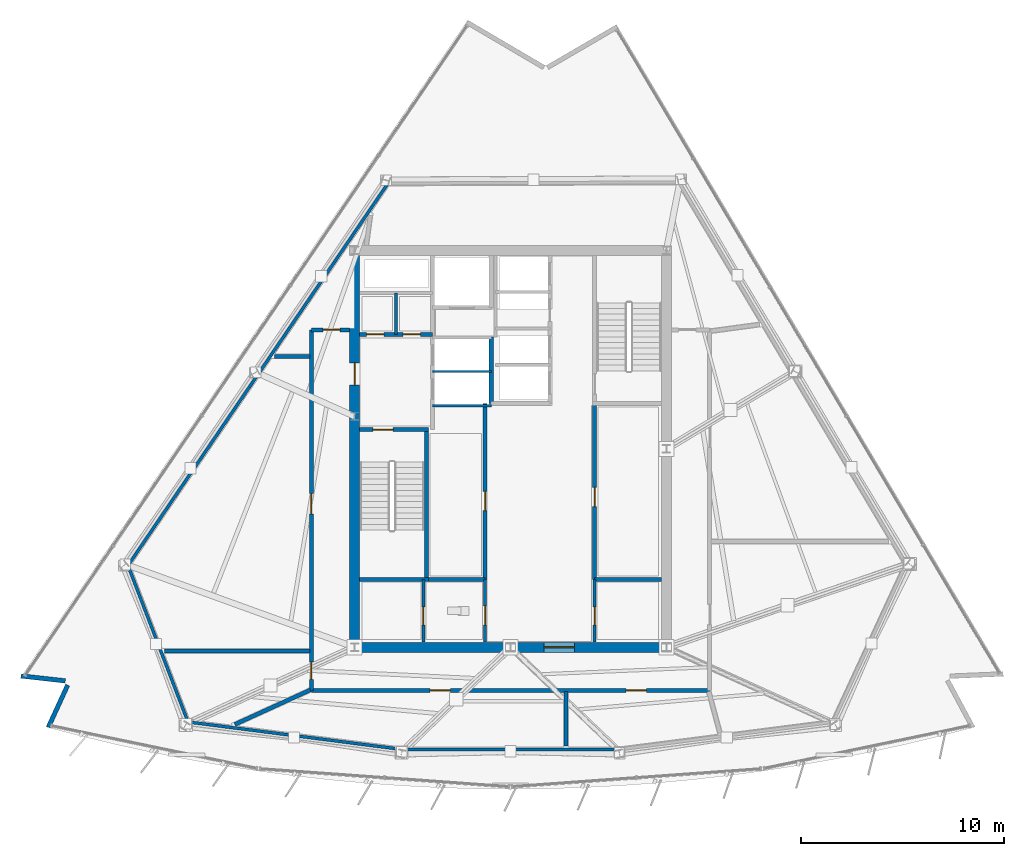
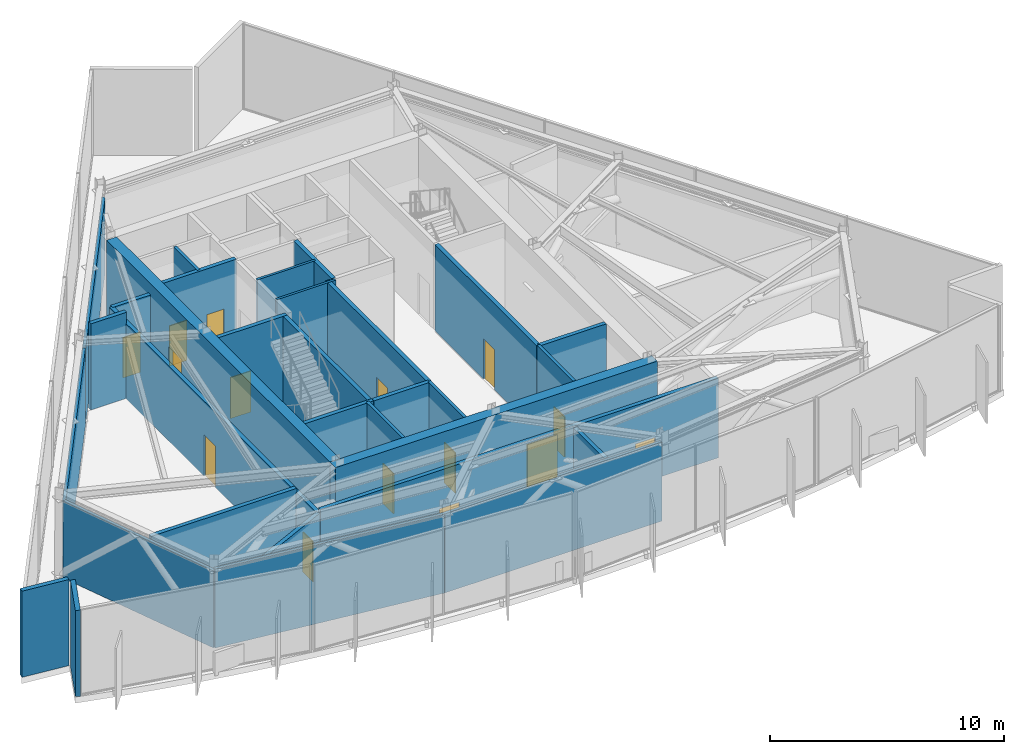
# One storey, part 8 of 14: 31 walls, 15 doors, 15 openings.
"""IFC4 building model written with IfcOpenShell, lengths in metres."""

from ifc_helpers import new_model, si_unit, direction, frame, frame_2d, origin, place, context, subcontext, project, spatial, rectangle, extrude, material, layer, layer_set, type_object, element, fill, save


model = new_model("IFC4")

# Units and contexts
model_context = context("Model", 3, precision=1e-05, world=origin(), true_north=direction((0.0, 1.0)))
body_context = subcontext(model_context, "Body", "Model", "MODEL_VIEW")
ifc_project = project(units=[si_unit("LENGTHUNIT", "METRE"), si_unit("AREAUNIT", "SQUARE_METRE"), si_unit("VOLUMEUNIT", "CUBIC_METRE"), si_unit("PLANEANGLEUNIT", "RADIAN"), si_unit("MASSUNIT", "GRAM", prefix="KILO")], contexts=[model_context])

# Site, building, storey
site_placement = place(None, origin())
site = spatial("IfcSite", under=ifc_project, at=site_placement, CompositionType="ELEMENT")
building_placement = place(site_placement, origin())
building = spatial("IfcBuilding", under=site, at=building_placement, Name="Savorim Split Tower", CompositionType="ELEMENT")
storey_placement = place(building_placement, frame((0.0, 0.0, 241.5)))
storey = spatial("IfcBuildingStorey", under=building, at=storey_placement, Name="L64", CompositionType="ELEMENT", Elevation=241.5)

# Wall, opening, door
ifc_material_1 = material(Name="Concrete C60/75", Category="concrete")
ifc_layer_1 = layer(ifc_material_1, 0.5)
ifc_layer_set_1 = layer_set([ifc_layer_1], Name="WAL-COR-SH500")
wall_type_1 = type_object("IfcWallType", Name="WAL-COR-SH500", PredefinedType="SHEAR", material=ifc_layer_set_1)
wall_1_placement = place(storey_placement, frame((-7.949951171875, -9.39990234375, 0.0), z_axis=(0.0, 0.0, 1.0), x_axis=(1.0, 0.0, 0.0)))
wall_1 = element("IfcWall", 1, at=wall_1_placement, inside=storey, type_object=wall_type_1, Name="L64 Offset Core South Shear Wall", PredefinedType="SHEAR", context=body_context, shape_type="SweptSolid", body=[
    extrude(rectangle(XDim=15.89990234375, YDim=0.5, at=frame_2d((7.949951171875, 0.0))), origin(), (0.0, 0.0, 1.0), 4.5),
])
opening_1_placement = place(wall_1_placement, frame((9.60009765625, 0.0, 0.0)))
opening_1 = element("IfcOpeningElement", 2, at=opening_1_placement, cuts=wall_1, Name="Opening DI-02", PredefinedType="OPENING", context=body_context, shape_type="SweptSolid", body=[
    extrude(rectangle(XDim=1.5, YDim=2.199951171875, at=frame_2d((0.75, 1.10009765625))), frame((0.0, 0.260009765625, 0.0), z_axis=(0.0, -1.0, 0.0), x_axis=(1.0, 0.0, 0.0)), (0.0, 0.0, 1.0), 0.52001953125),
])
ifc_material_2 = material(Name="Timber Fire Door Leaf", Category="wood")
door_type_1 = type_object("IfcDoorType", Name="DOR-DBL-1500", OperationType="NOTDEFINED", PredefinedType="DOOR", material=ifc_material_2)
door_1_placement = place(opening_1_placement, origin())
door_1 = element("IfcDoor", 3, at=door_1_placement, inside=storey, type_object=door_type_1, Name="DOR-L64-COR-LLOB - L64 Lift Lobby Main Rated Door", OperationType="DOUBLE_DOOR_SINGLE_SWING", OverallHeight=2.199951171875, OverallWidth=1.5, PredefinedType="DOOR", context=body_context, shape_type="SweptSolid", body=[
    extrude(rectangle(XDim=1.5, YDim=2.199951171875, at=frame_2d((0.75, 1.10009765625))), frame((0.0, 0.02490234375, 0.0), z_axis=(0.0, -1.0, 0.0), x_axis=(1.0, 0.0, 0.0)), (0.0, 0.0, 1.0), 0.050048828125),
])
fill(opening_1, door_1)

wall_2_placement = place(storey_placement, frame((-7.699951171875, -9.14990234375, 0.0), z_axis=(0.0, 0.0, 1.0), x_axis=(0.0, 1.0, 0.0)))
wall_2 = element("IfcWall", 4, at=wall_2_placement, inside=storey, type_object=wall_type_1, Name="L64 Offset Core West Shear Wall", PredefinedType="SHEAR", context=body_context, shape_type="SweptSolid", body=[
    extrude(rectangle(XDim=19.099853515625, YDim=0.5, at=frame_2d((9.5498046875, 0.0))), origin(), (0.0, 0.0, 1.0), 4.5),
])
opening_2_placement = place(wall_2_placement, frame((12.699951171875, 0.0, 0.0)))
opening_2 = element("IfcOpeningElement", 5, at=opening_2_placement, cuts=wall_2, Name="Opening DI-03", PredefinedType="OPENING", context=body_context, shape_type="SweptSolid", body=[
    extrude(rectangle(XDim=1.10009765625, YDim=2.14990234375, at=frame_2d((0.550048828125, 1.074951171875))), frame((0.0, 0.260009765625, 0.0), z_axis=(0.0, -1.0, 0.0), x_axis=(1.0, 0.0, 0.0)), (0.0, 0.0, 1.0), 0.52001953125),
])
door_type_2 = type_object("IfcDoorType", Name="DOR-FIR-1100", OperationType="NOTDEFINED", PredefinedType="DOOR", material=ifc_material_2)
door_2_placement = place(opening_2_placement, origin())
door_2 = element("IfcDoor", 6, at=door_2_placement, inside=storey, type_object=door_type_2, Name="DOR-L64-COR-FFLOB - L64 Firefighting Lobby Corridor Door", OperationType="SINGLE_SWING_RIGHT", OverallHeight=2.14990234375, OverallWidth=1.10009765625, PredefinedType="DOOR", context=body_context, shape_type="SweptSolid", body=[
    extrude(rectangle(XDim=1.10009765625, YDim=2.14990234375, at=frame_2d((0.550048828125, 1.074951171875))), frame((0.0, 0.02490234375, 0.0), z_axis=(0.0, -1.0, 0.0), x_axis=(1.0, 0.0, 0.0)), (0.0, 0.0, 1.0), 0.050048828125),
])
fill(opening_2, door_2)

# Walls
ifc_material_3 = material(Name="Precast concrete C40/50", Category="concrete")
ifc_layer_2 = layer(ifc_material_3, 0.219970703125)
ifc_layer_set_2 = layer_set([ifc_layer_2], Name="WAL-EXT-CRN220")
wall_type_2 = type_object("IfcWallType", Name="WAL-EXT-CRN220", PredefinedType="SOLIDWALL", material=ifc_layer_set_2)
wall_3_placement = place(storey_placement, frame((-21.984619140625, -11.056640625, 0.0), z_axis=(0.0, 0.0, 1.0), x_axis=(-0.993823926228, 0.110968480463, 0.0)))
element("IfcWall", 7, at=wall_3_placement, inside=storey, type_object=wall_type_2, Name="L64 Notched Corner Facade Wall SW1", PredefinedType="SOLIDWALL", context=body_context, shape_type="SweptSolid", body=[
    extrude(rectangle(XDim=2.19580078125, YDim=0.219970703125, at=frame_2d((1.097900390625, 0.0))), origin(), (0.0, 0.0, 1.0), 4.5),
])
wall_4_placement = place(storey_placement, frame((-22.821533203125, -13.3466796875, 0.0), z_axis=(0.0, 0.0, 1.0), x_axis=(0.417447808253, 0.908700900949, 0.0)))
element("IfcWall", 8, at=wall_4_placement, inside=storey, type_object=wall_type_2, Name="L64 Notched Corner Facade Wall SW", PredefinedType="SOLIDWALL", context=body_context, shape_type="SweptSolid", body=[
    extrude(rectangle(XDim=2.2890625, YDim=0.219970703125, at=frame_2d((1.14453125, 0.0))), origin(), (0.0, 0.0, 1.0), 4.5),
])

# Wall, opening, door
ifc_material_4 = material(Name="Concrete C50/60", Category="concrete")
ifc_layer_3 = layer(ifc_material_4, 0.199951171875)
ifc_layer_set_3 = layer_set([ifc_layer_3], Name="WAL-INT-RC200")
wall_type_3 = type_object("IfcWallType", Name="WAL-INT-RC200", PredefinedType="SOLIDWALL", material=ifc_layer_set_3)
wall_5_placement = place(storey_placement, frame((-7.449951171875, 1.35009765625, 0.0), z_axis=(0.0, 0.0, 1.0), x_axis=(1.0, 0.0, 0.0)))
wall_5 = element("IfcWall", 9, at=wall_5_placement, inside=storey, type_object=wall_type_3, Name="L64 Structural Shaft Wall W-L64-CR01", PredefinedType="SOLIDWALL", context=body_context, shape_type="SweptSolid", body=[
    extrude(rectangle(XDim=3.39990234375, YDim=0.199951171875, at=frame_2d((1.699951171875, 0.0))), origin(), (0.0, 0.0, 1.0), 4.5),
])
opening_3_placement = place(wall_5_placement, frame((0.64990234375, 0.0, 0.0)))
opening_3 = element("IfcOpeningElement", 10, at=opening_3_placement, cuts=wall_5, Name="Opening DI-04", PredefinedType="OPENING", context=body_context, shape_type="SweptSolid", body=[
    extrude(rectangle(XDim=1.0, YDim=2.14990234375, at=frame_2d((0.5, 1.074951171875))), frame((0.0, 0.10986328125, 0.0), z_axis=(0.0, -1.0, 0.0), x_axis=(1.0, 0.0, 0.0)), (0.0, 0.0, 1.0), 0.219970703125),
])
door_type_3 = type_object("IfcDoorType", Name="DOR-FIR-1000", OperationType="NOTDEFINED", PredefinedType="DOOR", material=ifc_material_2)
door_3_placement = place(opening_3_placement, origin())
door_3 = element("IfcDoor", 11, at=door_3_placement, inside=storey, type_object=door_type_3, Name="DR-L64-ST1 - L64 Stair ST-1 Enclosure Door", OperationType="SINGLE_SWING_LEFT", OverallHeight=2.14990234375, OverallWidth=1.0, PredefinedType="DOOR", context=body_context, shape_type="SweptSolid", body=[
    extrude(rectangle(XDim=1.0, YDim=2.14990234375, at=frame_2d((0.5, 1.074951171875))), frame((0.0, 0.02490234375, 0.0), z_axis=(0.0, -1.0, 0.0), x_axis=(1.0, 0.0, 0.0)), (0.0, 0.0, 1.0), 0.050048828125),
])
fill(opening_3, door_3)

# Wall
wall_6_placement = place(storey_placement, frame((-4.14990234375, -5.949951171875, 0.0), z_axis=(0.0, 0.0, 1.0), x_axis=(0.0, 1.0, 0.0)))
element("IfcWall", 12, at=wall_6_placement, inside=storey, type_object=wall_type_3, Name="L64 Structural Shaft Wall W-L64-CR02", PredefinedType="SOLIDWALL", context=body_context, shape_type="SweptSolid", body=[
    extrude(rectangle(XDim=7.199951171875, YDim=0.199951171875, at=frame_2d((3.60009765625, 0.0))), origin(), (0.0, 0.0, 1.0), 4.5),
])

# Wall, openings, doors
wall_7_placement = place(storey_placement, frame((-7.445068359375, 6.050048828125, 0.0), z_axis=(0.0, 0.0, 1.0), x_axis=(1.0, 0.0, 0.0)))
wall_7 = element("IfcWall", 13, at=wall_7_placement, inside=storey, type_object=wall_type_3, Name="L64 Partition W-L64-CR04", PredefinedType="SOLIDWALL", context=body_context, shape_type="SweptSolid", body=[
    extrude(rectangle(XDim=3.594970703125, YDim=0.199951171875, at=frame_2d((1.79736328125, 0.0))), origin(), (0.0, 0.0, 1.0), 4.5),
])
opening_4_placement = place(wall_7_placement, frame((0.344970703125, 0.0, 0.0)))
opening_4 = element("IfcOpeningElement", 14, at=opening_4_placement, cuts=wall_7, Name="Opening DI-12", PredefinedType="OPENING", context=body_context, shape_type="SweptSolid", body=[
    extrude(rectangle(XDim=0.85009765625, YDim=2.10009765625, at=frame_2d((0.425048828125, 1.050048828125))), frame((0.0, 0.10986328125, 0.0), z_axis=(0.0, -1.0, 0.0), x_axis=(1.0, 0.0, 0.0)), (0.0, 0.0, 1.0), 0.219970703125),
])
opening_5_placement = place(wall_7_placement, frame((2.14501953125, 0.0, 0.0)))
opening_5 = element("IfcOpeningElement", 15, at=opening_5_placement, cuts=wall_7, Name="Opening DI-12", PredefinedType="OPENING", context=body_context, shape_type="SweptSolid", body=[
    extrude(rectangle(XDim=0.85009765625, YDim=2.10009765625, at=frame_2d((0.425048828125, 1.050048828125))), frame((0.0, 0.10986328125, 0.0), z_axis=(0.0, -1.0, 0.0), x_axis=(1.0, 0.0, 0.0)), (0.0, 0.0, 1.0), 0.219970703125),
])
ifc_material_5 = material(Name="Galvanised Painted Steel Balustrade", Category="steel")
door_type_4 = type_object("IfcDoorType", Name="DOR-RIS-850", OperationType="NOTDEFINED", PredefinedType="DOOR", material=ifc_material_5)
door_4_placement = place(opening_4_placement, origin())
door_4 = element("IfcDoor", 16, at=door_4_placement, inside=storey, type_object=door_type_4, Name="DR-L64-ELR - L64 Electrical Riser Access Door", OperationType="SINGLE_SWING_RIGHT", OverallHeight=2.10009765625, OverallWidth=0.85009765625, PredefinedType="DOOR", context=body_context, shape_type="SweptSolid", body=[
    extrude(rectangle(XDim=0.85009765625, YDim=2.10009765625, at=frame_2d((0.425048828125, 1.050048828125))), frame((0.0, 0.02490234375, 0.0), z_axis=(0.0, -1.0, 0.0), x_axis=(1.0, 0.0, 0.0)), (0.0, 0.0, 1.0), 0.050048828125),
])
fill(opening_4, door_4)
door_5_placement = place(opening_5_placement, origin())
door_5 = element("IfcDoor", 17, at=door_5_placement, inside=storey, type_object=door_type_4, Name="DR-L64-TLR - L64 Telecom Riser Access Door", OperationType="SINGLE_SWING_LEFT", OverallHeight=2.10009765625, OverallWidth=0.85009765625, PredefinedType="DOOR", context=body_context, shape_type="SweptSolid", body=[
    extrude(rectangle(XDim=0.85009765625, YDim=2.10009765625, at=frame_2d((0.425048828125, 1.050048828125))), frame((0.0, 0.02490234375, 0.0), z_axis=(0.0, -1.0, 0.0), x_axis=(1.0, 0.0, 0.0)), (0.0, 0.0, 1.0), 0.050048828125),
])
fill(opening_5, door_5)

# Wall
wall_8_placement = place(storey_placement, frame((-0.949951171875, 2.64990234375, 0.0), z_axis=(0.0, 0.0, 1.0), x_axis=(0.0, 1.0, 0.0)))
element("IfcWall", 18, at=wall_8_placement, inside=storey, type_object=wall_type_3, Name="L64 Partition W-L64-FFLW", PredefinedType="SOLIDWALL", context=body_context, shape_type="SweptSolid", body=[
    extrude(rectangle(XDim=3.27001953125, YDim=0.199951171875, at=frame_2d((1.635009765625, 0.0))), origin(), (0.0, 0.0, 1.0), 4.5),
])

# Wall, opening, door
wall_9_placement = place(storey_placement, frame((4.14990234375, -6.050048828125, 0.0), z_axis=(0.0, 0.0, 1.0), x_axis=(0.0, 1.0, 0.0)))
wall_9 = element("IfcWall", 19, at=wall_9_placement, inside=storey, type_object=wall_type_3, Name="L64 Partition W-L64-B1FRONT", PredefinedType="SOLIDWALL", context=body_context, shape_type="SweptSolid", body=[
    extrude(rectangle(XDim=8.699951171875, YDim=0.199951171875, at=frame_2d((4.35009765625, 0.0))), origin(), (0.0, 0.0, 1.0), 4.5),
])
opening_6_placement = place(wall_9_placement, frame((3.60009765625, 0.0, 0.0)))
opening_6 = element("IfcOpeningElement", 20, at=opening_6_placement, cuts=wall_9, Name="Opening DI-05", PredefinedType="OPENING", context=body_context, shape_type="SweptSolid", body=[
    extrude(rectangle(XDim=0.949951171875, YDim=2.10009765625, at=frame_2d((0.47509765625, 1.050048828125))), frame((0.0, 0.10986328125, 0.0), z_axis=(0.0, -1.0, 0.0), x_axis=(1.0, 0.0, 0.0)), (0.0, 0.0, 1.0), 0.219970703125),
])
door_type_5 = type_object("IfcDoorType", Name="DOR-FIR-950", OperationType="NOTDEFINED", PredefinedType="DOOR", material=ifc_material_2)
door_6_placement = place(opening_6_placement, origin())
door_6 = element("IfcDoor", 21, at=door_6_placement, inside=storey, type_object=door_type_5, Name="DR-L64-LV7B1 - L64 Booster Transfer Plant Room Door", OperationType="SINGLE_SWING_RIGHT", OverallHeight=2.10009765625, OverallWidth=0.949951171875, PredefinedType="DOOR", context=body_context, shape_type="SweptSolid", body=[
    extrude(rectangle(XDim=0.949951171875, YDim=2.10009765625, at=frame_2d((0.47509765625, 1.050048828125))), frame((0.0, 0.02490234375, 0.0), z_axis=(0.0, -1.0, 0.0), x_axis=(1.0, 0.0, 0.0)), (0.0, 0.0, 1.0), 0.050048828125),
])
fill(opening_6, door_6)

wall_10_placement = place(storey_placement, frame((-1.25, -6.050048828125, 0.0), z_axis=(0.0, 0.0, 1.0), x_axis=(0.0, 1.0, 0.0)))
wall_10 = element("IfcWall", 22, at=wall_10_placement, inside=storey, type_object=wall_type_3, Name="L64 Partition W-L64-B2FRONT", PredefinedType="SOLIDWALL", context=body_context, shape_type="SweptSolid", body=[
    extrude(rectangle(XDim=8.699951171875, YDim=0.199951171875, at=frame_2d((4.35009765625, 0.0))), origin(), (0.0, 0.0, 1.0), 4.5),
])
opening_7_placement = place(wall_10_placement, frame((3.39990234375, 0.0, 0.0)))
opening_7 = element("IfcOpeningElement", 23, at=opening_7_placement, cuts=wall_10, Name="Opening DI-05", PredefinedType="OPENING", context=body_context, shape_type="SweptSolid", body=[
    extrude(rectangle(XDim=0.949951171875, YDim=2.10009765625, at=frame_2d((0.47509765625, 1.050048828125))), frame((0.0, 0.10986328125, 0.0), z_axis=(0.0, -1.0, 0.0), x_axis=(1.0, 0.0, 0.0)), (0.0, 0.0, 1.0), 0.219970703125),
])
door_7_placement = place(opening_7_placement, origin())
door_7 = element("IfcDoor", 24, at=door_7_placement, inside=storey, type_object=door_type_5, Name="DR-L64-LV7B2 - L64 Heat Recovery Plant Room Door", OperationType="SINGLE_SWING_LEFT", OverallHeight=2.10009765625, OverallWidth=0.949951171875, PredefinedType="DOOR", context=body_context, shape_type="SweptSolid", body=[
    extrude(rectangle(XDim=0.949951171875, YDim=2.10009765625, at=frame_2d((0.47509765625, 1.050048828125))), frame((0.0, 0.02490234375, 0.0), z_axis=(0.0, -1.0, 0.0), x_axis=(1.0, 0.0, 0.0)), (0.0, 0.0, 1.0), 0.050048828125),
])
fill(opening_7, door_7)

# Walls
wall_11_placement = place(storey_placement, frame((-7.449951171875, -6.050048828125, 0.0), z_axis=(0.0, 0.0, 1.0), x_axis=(1.0, 0.0, 0.0)))
element("IfcWall", 25, at=wall_11_placement, inside=storey, type_object=wall_type_3, Name="L64 Structural Shaft Wall W-L64-KSEP-W", PredefinedType="SOLIDWALL", context=body_context, shape_type="SweptSolid", body=[
    extrude(rectangle(XDim=3.39990234375, YDim=0.199951171875, at=frame_2d((1.699951171875, 0.0))), origin(), (0.0, 0.0, 1.0), 4.5),
])
wall_12_placement = place(storey_placement, frame((-4.0400390625, -6.050048828125, 0.0), z_axis=(0.0, 0.0, 1.0), x_axis=(1.0, 0.0, 0.0)))
element("IfcWall", 26, at=wall_12_placement, inside=storey, type_object=wall_type_3, Name="L64 Partition W-L64-KSEP-W2", PredefinedType="SOLIDWALL", context=body_context, shape_type="SweptSolid", body=[
    extrude(rectangle(XDim=2.7900390625, YDim=0.199951171875, at=frame_2d((1.39501953125, 0.0))), origin(), (0.0, 0.0, 1.0), 4.5),
])
wall_13_placement = place(storey_placement, frame((4.14990234375, -6.050048828125, 0.0), z_axis=(0.0, 0.0, 1.0), x_axis=(1.0, 0.0, 0.0)))
element("IfcWall", 27, at=wall_13_placement, inside=storey, type_object=wall_type_3, Name="L64 Partition W-L64-KSEP-E", PredefinedType="SOLIDWALL", context=body_context, shape_type="SweptSolid", body=[
    extrude(rectangle(XDim=3.295166015625, YDim=0.199951171875, at=frame_2d((1.6474609375, 0.0))), origin(), (0.0, 0.0, 1.0), 4.5),
])

# Wall, openings, doors
wall_14_placement = place(storey_placement, frame((-9.830078125, -11.530029296875, 0.0), z_axis=(0.0, 0.0, 1.0), x_axis=(0.0, 1.0, 0.0)))
wall_14 = element("IfcWall", 28, at=wall_14_placement, inside=storey, type_object=wall_type_3, Name="L64 Partition W-L64-COR-W1", PredefinedType="SOLIDWALL", context=body_context, shape_type="SweptSolid", body=[
    extrude(rectangle(XDim=17.81005859375, YDim=0.199951171875, at=frame_2d((8.905029296875, 0.0))), origin(), (0.0, 0.0, 1.0), 3.925048828125),
])
opening_8_placement = place(wall_14_placement, frame((8.72412109375, 0.0, 0.0)))
opening_8 = element("IfcOpeningElement", 29, at=opening_8_placement, cuts=wall_14, Name="Opening DI-04", PredefinedType="OPENING", context=body_context, shape_type="SweptSolid", body=[
    extrude(rectangle(XDim=1.0, YDim=2.14990234375, at=frame_2d((0.5, 1.074951171875))), frame((0.0, 0.10986328125, 0.0), z_axis=(0.0, -1.0, 0.0), x_axis=(1.0, 0.0, 0.0)), (0.0, 0.0, 1.0), 0.219970703125),
])
opening_9_placement = place(wall_14_placement, frame((0.5498046875, 0.0, 0.0)))
opening_9 = element("IfcOpeningElement", 30, at=opening_9_placement, cuts=wall_14, Name="Opening DI-12", PredefinedType="OPENING", context=body_context, shape_type="SweptSolid", body=[
    extrude(rectangle(XDim=0.85009765625, YDim=2.10009765625, at=frame_2d((0.425048828125, 1.050048828125))), frame((0.0, 0.10986328125, 0.0), z_axis=(0.0, -1.0, 0.0), x_axis=(1.0, 0.0, 0.0)), (0.0, 0.0, 1.0), 0.219970703125),
])
door_8_placement = place(opening_8_placement, origin())
door_8 = element("IfcDoor", 31, at=door_8_placement, inside=storey, type_object=door_type_3, Name="DR-L64-RM01 - L64 Refuge Area West Entry Door", OperationType="SINGLE_SWING_RIGHT", OverallHeight=2.14990234375, OverallWidth=1.0, PredefinedType="DOOR", context=body_context, shape_type="SweptSolid", body=[
    extrude(rectangle(XDim=1.0, YDim=2.14990234375, at=frame_2d((0.5, 1.074951171875))), frame((0.0, 0.02490234375, 0.0), z_axis=(0.0, -1.0, 0.0), x_axis=(1.0, 0.0, 0.0)), (0.0, 0.0, 1.0), 0.050048828125),
])
fill(opening_8, door_8)
door_9_placement = place(opening_9_placement, origin())
door_9 = element("IfcDoor", 32, at=door_9_placement, inside=storey, type_object=door_type_4, Name="DR-L64-RM02 - L64 AHU Mechanical Plant Room 1 Entry Door", OperationType="SINGLE_SWING_LEFT", OverallHeight=2.10009765625, OverallWidth=0.85009765625, PredefinedType="DOOR", context=body_context, shape_type="SweptSolid", body=[
    extrude(rectangle(XDim=0.85009765625, YDim=2.10009765625, at=frame_2d((0.425048828125, 1.050048828125))), frame((0.0, 0.02490234375, 0.0), z_axis=(0.0, -1.0, 0.0), x_axis=(1.0, 0.0, 0.0)), (0.0, 0.0, 1.0), 0.050048828125),
])
fill(opening_9, door_9)

# Wall, opening, door
wall_15_placement = place(storey_placement, frame((-9.830078125, 6.280029296875, 0.0), z_axis=(0.0, 0.0, 1.0), x_axis=(1.0, 0.0, 0.0)))
wall_15 = element("IfcWall", 33, at=wall_15_placement, inside=storey, type_object=wall_type_3, Name="L64 Partition W-L64-COR-WN1", PredefinedType="SOLIDWALL", context=body_context, shape_type="SweptSolid", body=[
    extrude(rectangle(XDim=1.880126953125, YDim=0.199951171875, at=frame_2d((0.93994140625, 0.0))), origin(), (0.0, 0.0, 1.0), 3.925048828125),
])
opening_10_placement = place(wall_15_placement, frame((0.56494140625, 0.0, 0.0)))
opening_10 = element("IfcOpeningElement", 34, at=opening_10_placement, cuts=wall_15, Name="Opening DI-12", PredefinedType="OPENING", context=body_context, shape_type="SweptSolid", body=[
    extrude(rectangle(XDim=0.85009765625, YDim=2.10009765625, at=frame_2d((0.425048828125, 1.050048828125))), frame((0.0, 0.10986328125, 0.0), z_axis=(0.0, -1.0, 0.0), x_axis=(1.0, 0.0, 0.0)), (0.0, 0.0, 1.0), 0.219970703125),
])
door_10_placement = place(opening_10_placement, origin())
door_10 = element("IfcDoor", 35, at=door_10_placement, inside=storey, type_object=door_type_4, Name="DR-L64-RM08 - L64 Booster Pump Plant Room 1 Entry Door", OperationType="SINGLE_SWING_LEFT", OverallHeight=2.10009765625, OverallWidth=0.85009765625, PredefinedType="DOOR", context=body_context, shape_type="SweptSolid", body=[
    extrude(rectangle(XDim=0.85009765625, YDim=2.10009765625, at=frame_2d((0.425048828125, 1.050048828125))), frame((0.0, 0.02490234375, 0.0), z_axis=(0.0, -1.0, 0.0), x_axis=(1.0, 0.0, 0.0)), (0.0, 0.0, 1.0), 0.050048828125),
])
fill(opening_10, door_10)

# Wall, openings, doors
wall_16_placement = place(storey_placement, frame((-9.830078125, -11.530029296875, 0.0), z_axis=(0.0, 0.0, 1.0), x_axis=(1.0, 0.0, 0.0)))
wall_16 = element("IfcWall", 36, at=wall_16_placement, inside=storey, type_object=wall_type_3, Name="L64 Partition W-L64-COR-S1", PredefinedType="SOLIDWALL", context=body_context, shape_type="SweptSolid", body=[
    extrude(rectangle(XDim=19.66015625, YDim=0.199951171875, at=frame_2d((9.830078125, 0.0))), origin(), (0.0, 0.0, 1.0), 4.155029296875),
])
opening_11_placement = place(wall_16_placement, frame((5.865478515625, 0.0, 0.0)))
opening_11 = element("IfcOpeningElement", 37, at=opening_11_placement, cuts=wall_16, Name="Opening DI-04", PredefinedType="OPENING", context=body_context, shape_type="SweptSolid", body=[
    extrude(rectangle(XDim=1.0, YDim=2.14990234375, at=frame_2d((0.5, 1.074951171875))), frame((0.0, 0.10986328125, 0.0), z_axis=(0.0, -1.0, 0.0), x_axis=(1.0, 0.0, 0.0)), (0.0, 0.0, 1.0), 0.219970703125),
])
opening_12_placement = place(wall_16_placement, frame((15.542236328125, 0.0, 0.0)))
opening_12 = element("IfcOpeningElement", 38, at=opening_12_placement, cuts=wall_16, Name="Opening DI-04", PredefinedType="OPENING", context=body_context, shape_type="SweptSolid", body=[
    extrude(rectangle(XDim=1.0, YDim=2.14990234375, at=frame_2d((0.5, 1.074951171875))), frame((0.0, 0.10986328125, 0.0), z_axis=(0.0, -1.0, 0.0), x_axis=(1.0, 0.0, 0.0)), (0.0, 0.0, 1.0), 0.219970703125),
])
door_11_placement = place(opening_11_placement, origin())
door_11 = element("IfcDoor", 39, at=door_11_placement, inside=storey, type_object=door_type_3, Name="DR-L64-RM03 - L64 Refuge Area North-West Entry Door", OperationType="SINGLE_SWING_RIGHT", OverallHeight=2.14990234375, OverallWidth=1.0, PredefinedType="DOOR", context=body_context, shape_type="SweptSolid", body=[
    extrude(rectangle(XDim=1.0, YDim=2.14990234375, at=frame_2d((0.5, 1.074951171875))), frame((0.0, 0.02490234375, 0.0), z_axis=(0.0, -1.0, 0.0), x_axis=(1.0, 0.0, 0.0)), (0.0, 0.0, 1.0), 0.050048828125),
])
fill(opening_11, door_11)
door_12_placement = place(opening_12_placement, origin())
door_12 = element("IfcDoor", 40, at=door_12_placement, inside=storey, type_object=door_type_3, Name="DR-L64-RM04 - L64 Chiller Plant Room 1 Entry Door", OperationType="SINGLE_SWING_LEFT", OverallHeight=2.14990234375, OverallWidth=1.0, PredefinedType="DOOR", context=body_context, shape_type="SweptSolid", body=[
    extrude(rectangle(XDim=1.0, YDim=2.14990234375, at=frame_2d((0.5, 1.074951171875))), frame((0.0, 0.02490234375, 0.0), z_axis=(0.0, -1.0, 0.0), x_axis=(1.0, 0.0, 0.0)), (0.0, 0.0, 1.0), 0.050048828125),
])
fill(opening_12, door_12)

# Walls
wall_17_placement = place(storey_placement, frame((-9.889892578125, -9.58349609375, 0.0), z_axis=(0.0, 0.0, 1.0), x_axis=(-1.0, 0.0, 0.0)))
element("IfcWall", 41, at=wall_17_placement, inside=storey, type_object=wall_type_3, Name="L64 Partition W-L64-PLW01", PredefinedType="SOLIDWALL", context=body_context, shape_type="SweptSolid", body=[
    extrude(rectangle(XDim=7.19580078125, YDim=0.199951171875, at=frame_2d((3.597900390625, 0.0))), origin(), (0.0, 0.0, 1.0), 4.125),
])
wall_18_placement = place(storey_placement, frame((-9.879150390625, -11.50341796875, 0.0), z_axis=(0.0, 0.0, 1.0), x_axis=(-0.909687515783, -0.415293418716, 0.0)))
element("IfcWall", 42, at=wall_18_placement, inside=storey, type_object=wall_type_3, Name="L64 Partition W-L64-PLW02", PredefinedType="SOLIDWALL", context=body_context, shape_type="SweptSolid", body=[
    extrude(rectangle(XDim=4.108154296875, YDim=0.199951171875, at=frame_2d((2.05419921875, 0.0))), origin(), (0.0, 0.0, 1.0), 3.97509765625),
])
wall_19_placement = place(storey_placement, frame((2.747802734375, -11.590087890625, 0.0), z_axis=(0.0, 0.0, 1.0), x_axis=(0.0, -1.0, 0.0)))
element("IfcWall", 43, at=wall_19_placement, inside=storey, type_object=wall_type_3, Name="L64 Partition W-L64-PLW05", PredefinedType="SOLIDWALL", context=body_context, shape_type="SweptSolid", body=[
    extrude(rectangle(XDim=2.679931640625, YDim=0.199951171875, at=frame_2d((1.33984375, 0.0))), origin(), (0.0, 0.0, 1.0), 4.074951171875),
])
wall_20_placement = place(storey_placement, frame((-9.889892578125, 4.9716796875, 0.0), z_axis=(0.0, 0.0, 1.0), x_axis=(-1.0, 0.0, 0.0)))
element("IfcWall", 44, at=wall_20_placement, inside=storey, type_object=wall_type_3, Name="L64 Partition W-L64-PLW18", PredefinedType="SOLIDWALL", context=body_context, shape_type="SweptSolid", body=[
    extrude(rectangle(XDim=1.763671875, YDim=0.199951171875, at=frame_2d((0.8818359375, 0.0))), origin(), (0.0, 0.0, 1.0), 4.5),
])
ifc_material_6 = material(Name="Acoustic Gypsum Partition Board")
ifc_layer_4 = layer(ifc_material_6, 0.1201171875)
ifc_layer_set_4 = layer_set([ifc_layer_4], Name="WAL-PAR-120")
wall_type_4 = type_object("IfcWallType", Name="WAL-PAR-120", PredefinedType="PARTITIONING", material=ifc_layer_set_4)
for number, where, z_axis, x_axis, name in (
    (45, (-3.85009765625, 2.52001953125, 0.0), (0.0, 0.0, 1.0), (1.0, 0.0, 0.0), "L64 Partition W-L64-FFLD0"),
    (46, (-3.85009765625, 4.219970703125, 0.0), (0.0, 0.0, 1.0), (1.0, 0.0, 0.0), "L64 Partition W-L64-FFLD1"),
):
    element("IfcWall", number, at=place(storey_placement, frame(where, z_axis=z_axis, x_axis=x_axis)), inside=storey, type_object=wall_type_4, Name=name, PredefinedType="PARTITIONING", context=body_context, shape_type="SweptSolid", body=[
        extrude(rectangle(XDim=2.900146484375, YDim=0.1201171875, at=frame_2d((1.4501953125, 0.0))), origin(), (0.0, 0.0, 1.0), 4.5),
    ])
ifc_layer_5 = layer(ifc_material_6, 0.14990234375)
ifc_layer_set_5 = layer_set([ifc_layer_5], Name="WAL-PAR-150")
wall_type_5 = type_object("IfcWallType", Name="WAL-PAR-150", PredefinedType="PARTITIONING", material=ifc_layer_set_5)
wall_21_placement = place(storey_placement, frame((-5.64990234375, 6.050048828125, 0.0), z_axis=(0.0, 0.0, 1.0), x_axis=(0.0, 1.0, 0.0)))
element("IfcWall", 47, at=wall_21_placement, inside=storey, type_object=wall_type_5, Name="L64 Partition W-L64-CR06", PredefinedType="PARTITIONING", context=body_context, shape_type="SweptSolid", body=[
    extrude(rectangle(XDim=2.050048828125, YDim=0.14990234375, at=frame_2d((1.02490234375, 0.0))), origin(), (0.0, 0.0, 1.0), 4.5),
])

# Wall, opening, door
wall_22_placement = place(storey_placement, frame((-1.25, -9.14501953125, 0.0), z_axis=(0.0, 0.0, 1.0), x_axis=(0.0, 1.0, 0.0)))
wall_22 = element("IfcWall", 48, at=wall_22_placement, inside=storey, type_object=wall_type_5, Name="L64 Partition W-L64-KLOB-W", PredefinedType="PARTITIONING", context=body_context, shape_type="SweptSolid", body=[
    extrude(rectangle(XDim=3.094970703125, YDim=0.14990234375, at=frame_2d((1.54736328125, 0.0))), origin(), (0.0, 0.0, 1.0), 4.5),
])
opening_13_placement = place(wall_22_placement, frame((0.844970703125, 0.0, 0.0)))
opening_13 = element("IfcOpeningElement", 49, at=opening_13_placement, cuts=wall_22, Name="Opening DI-10", PredefinedType="OPENING", context=body_context, shape_type="SweptSolid", body=[
    extrude(rectangle(XDim=0.949951171875, YDim=2.10009765625, at=frame_2d((0.47509765625, 1.050048828125))), frame((0.0, 0.0849609375, 0.0), z_axis=(0.0, -1.0, 0.0), x_axis=(1.0, 0.0, 0.0)), (0.0, 0.0, 1.0), 0.169921875),
])
ifc_material_7 = material(Name="Oak Veneer Acoustic Door")
door_type_6 = type_object("IfcDoorType", Name="DOR-WC-950", OperationType="NOTDEFINED", PredefinedType="DOOR", material=ifc_material_7)
door_13_placement = place(opening_13_placement, origin())
door_13 = element("IfcDoor", 50, at=door_13_placement, inside=storey, type_object=door_type_6, Name="DR-L64-K1WC - L64 Core Accessible WC Door", OperationType="SINGLE_SWING_LEFT", OverallHeight=2.10009765625, OverallWidth=0.949951171875, PredefinedType="DOOR", context=body_context, shape_type="SweptSolid", body=[
    extrude(rectangle(XDim=0.949951171875, YDim=2.10009765625, at=frame_2d((0.47509765625, 1.050048828125))), frame((0.0, 0.02490234375, 0.0), z_axis=(0.0, -1.0, 0.0), x_axis=(1.0, 0.0, 0.0)), (0.0, 0.0, 1.0), 0.050048828125),
])
fill(opening_13, door_13)

wall_23_placement = place(storey_placement, frame((4.14990234375, -9.14501953125, 0.0), z_axis=(0.0, 0.0, 1.0), x_axis=(0.0, 1.0, 0.0)))
wall_23 = element("IfcWall", 51, at=wall_23_placement, inside=storey, type_object=wall_type_5, Name="L64 Partition W-L64-KLOB-E", PredefinedType="PARTITIONING", context=body_context, shape_type="SweptSolid", body=[
    extrude(rectangle(XDim=3.094970703125, YDim=0.14990234375, at=frame_2d((1.54736328125, 0.0))), origin(), (0.0, 0.0, 1.0), 4.5),
])
opening_14_placement = place(wall_23_placement, frame((0.844970703125, 0.0, 0.0)))
opening_14 = element("IfcOpeningElement", 52, at=opening_14_placement, cuts=wall_23, Name="Opening DI-06", PredefinedType="OPENING", context=body_context, shape_type="SweptSolid", body=[
    extrude(rectangle(XDim=0.89990234375, YDim=2.10009765625, at=frame_2d((0.449951171875, 1.050048828125))), frame((0.0, 0.0849609375, 0.0), z_axis=(0.0, -1.0, 0.0), x_axis=(1.0, 0.0, 0.0)), (0.0, 0.0, 1.0), 0.169921875),
])
door_type_7 = type_object("IfcDoorType", Name="DOR-FIR-900", OperationType="NOTDEFINED", PredefinedType="DOOR", material=ifc_material_2)
door_14_placement = place(opening_14_placement, origin())
door_14 = element("IfcDoor", 53, at=door_14_placement, inside=storey, type_object=door_type_7, Name="DR-L64-K1IT - L64 Core IT Room Door", OperationType="SINGLE_SWING_LEFT", OverallHeight=2.10009765625, OverallWidth=0.89990234375, PredefinedType="DOOR", context=body_context, shape_type="SweptSolid", body=[
    extrude(rectangle(XDim=0.89990234375, YDim=2.10009765625, at=frame_2d((0.449951171875, 1.050048828125))), frame((0.0, 0.02490234375, 0.0), z_axis=(0.0, -1.0, 0.0), x_axis=(1.0, 0.0, 0.0)), (0.0, 0.0, 1.0), 0.050048828125),
])
fill(opening_14, door_14)

wall_24_placement = place(storey_placement, frame((-4.300048828125, -9.14501953125, 0.0), z_axis=(0.0, 0.0, 1.0), x_axis=(0.0, 1.0, 0.0)))
wall_24 = element("IfcWall", 54, at=wall_24_placement, inside=storey, type_object=wall_type_5, Name="L64 Partition W-L64-K1W", PredefinedType="PARTITIONING", context=body_context, shape_type="SweptSolid", body=[
    extrude(rectangle(XDim=3.094970703125, YDim=0.14990234375, at=frame_2d((1.54736328125, 0.0))), origin(), (0.0, 0.0, 1.0), 4.5),
])
opening_15_placement = place(wall_24_placement, frame((0.844970703125, 0.0, 0.0)))
opening_15 = element("IfcOpeningElement", 55, at=opening_15_placement, cuts=wall_24, Name="Opening DI-06", PredefinedType="OPENING", context=body_context, shape_type="SweptSolid", body=[
    extrude(rectangle(XDim=0.89990234375, YDim=2.10009765625, at=frame_2d((0.449951171875, 1.050048828125))), frame((0.0, 0.0849609375, 0.0), z_axis=(0.0, -1.0, 0.0), x_axis=(1.0, 0.0, 0.0)), (0.0, 0.0, 1.0), 0.169921875),
])
door_15_placement = place(opening_15_placement, origin())
door_15 = element("IfcDoor", 56, at=door_15_placement, inside=storey, type_object=door_type_7, Name="DR-L64-K1HK - L64 Housekeeping Store Door", OperationType="SINGLE_SWING_RIGHT", OverallHeight=2.10009765625, OverallWidth=0.89990234375, PredefinedType="DOOR", context=body_context, shape_type="SweptSolid", body=[
    extrude(rectangle(XDim=0.89990234375, YDim=2.10009765625, at=frame_2d((0.449951171875, 1.050048828125))), frame((0.0, 0.02490234375, 0.0), z_axis=(0.0, -1.0, 0.0), x_axis=(1.0, 0.0, 0.0)), (0.0, 0.0, 1.0), 0.050048828125),
])
fill(opening_15, door_15)

# Walls
wall_25_placement = place(storey_placement, frame((-18.887939453125, -5.360595703125, 0.0), z_axis=(0.0, 0.0, 1.0), x_axis=(0.562468038004, 0.826819028702, 0.0)))
element("IfcWall", 57, at=wall_25_placement, inside=storey, type_object=wall_type_5, Name="L64 Partition W-L64-PBLT01", PredefinedType="PARTITIONING", context=body_context, shape_type="SweptSolid", body=[
    extrude(rectangle(XDim=11.409423828125, YDim=0.14990234375, at=frame_2d((5.70458984375, 0.0))), origin(), (0.0, 0.0, 1.0), 4.02490234375),
])
wall_26_placement = place(storey_placement, frame((-12.470458984375, 4.072998046875, 0.0), z_axis=(0.0, 0.0, 1.0), x_axis=(0.562473312613, 0.826815440469, 0.0)))
element("IfcWall", 58, at=wall_26_placement, inside=storey, type_object=wall_type_5, Name="L64 Partition W-L64-PBLT02", PredefinedType="PARTITIONING", context=body_context, shape_type="SweptSolid", body=[
    extrude(rectangle(XDim=11.408935546875, YDim=0.14990234375, at=frame_2d((5.70458984375, 0.0))), origin(), (0.0, 0.0, 1.0), 3.925048828125),
])
wall_27_placement = place(storey_placement, frame((5.365478515625, -14.440185546875, 0.0), z_axis=(0.0, 0.0, 1.0), x_axis=(-1.0, 0.0, 0.0)))
element("IfcWall", 59, at=wall_27_placement, inside=storey, type_object=wall_type_5, Name="L64 Partition W-L64-PBLT08", PredefinedType="PARTITIONING", context=body_context, shape_type="SweptSolid", body=[
    extrude(rectangle(XDim=10.73095703125, YDim=0.14990234375, at=frame_2d((5.365478515625, 0.0))), origin(), (0.0, 0.0, 1.0), 4.125),
])
wall_28_placement = place(storey_placement, frame((-5.365478515625, -14.440185546875, 0.0), z_axis=(0.0, 0.0, 1.0), x_axis=(-0.991858136076, 0.127347704731, 0.0)))
element("IfcWall", 60, at=wall_28_placement, inside=storey, type_object=wall_type_5, Name="L64 Partition W-L64-PBLT09", PredefinedType="PARTITIONING", context=body_context, shape_type="SweptSolid", body=[
    extrude(rectangle(XDim=10.645751953125, YDim=0.14990234375, at=frame_2d((5.32275390625, 0.0))), origin(), (0.0, 0.0, 1.0), 4.125),
])
wall_29_placement = place(storey_placement, frame((-15.924560546875, -13.08447265625, 0.0), z_axis=(0.0, 0.0, 1.0), x_axis=(-0.358205734872, 0.933642678708, 0.0)))
element("IfcWall", 61, at=wall_29_placement, inside=storey, type_object=wall_type_5, Name="L64 Partition W-L64-PBLT10", PredefinedType="PARTITIONING", context=body_context, shape_type="SweptSolid", body=[
    extrude(rectangle(XDim=8.27294921875, YDim=0.14990234375, at=frame_2d((4.136474609375, 0.0))), origin(), (0.0, 0.0, 1.0), 4.02490234375),
])

save(model, "model.ifc")
